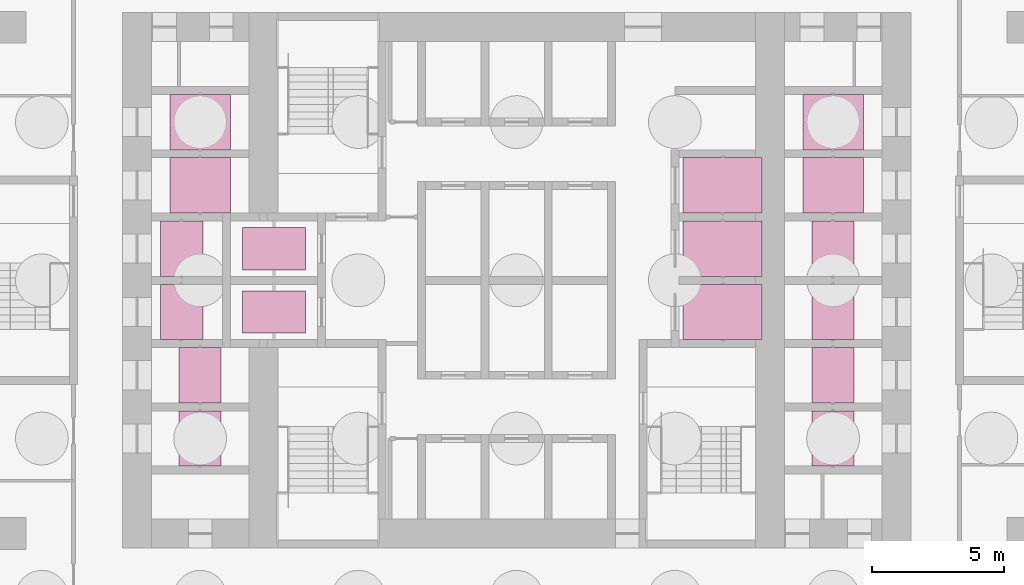
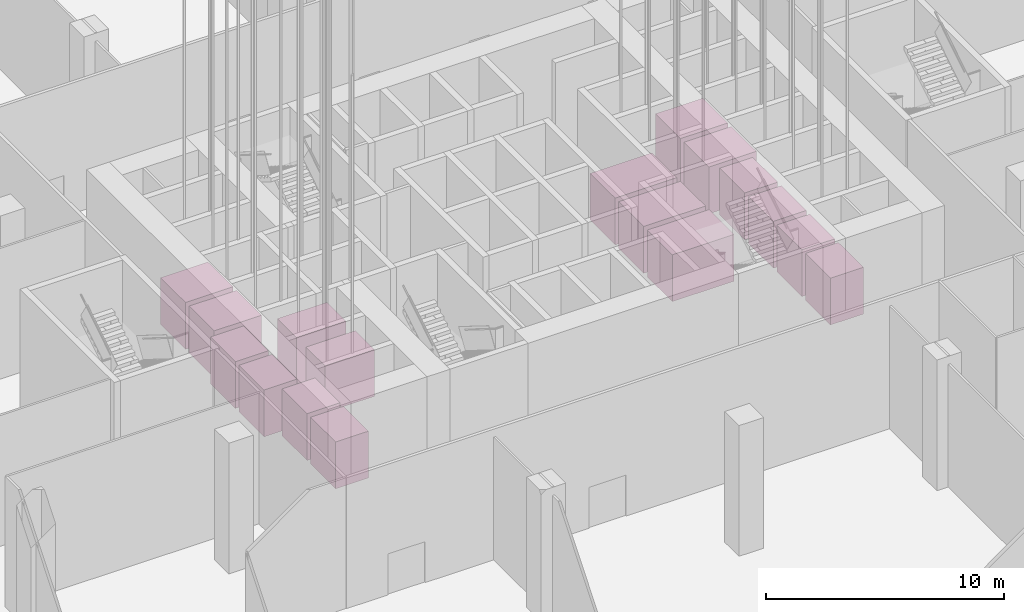
# One storey, part 68 of 68: 17 transport elements.
"""IFC4 building model written with IfcOpenShell, lengths in metres."""

from ifc_helpers import new_model, si_unit, direction, frame, origin, origin_2d, place, context, subcontext, project, spatial, rectangle, extrude, material, type_object, element, save


model = new_model("IFC4")

# Units and contexts
model_context = context("Model", 3, precision=1e-05, world=origin(), true_north=direction((0.0, 1.0)))
body_context = subcontext(model_context, "Body", "Model", "MODEL_VIEW")
ifc_project = project(units=[si_unit("LENGTHUNIT", "METRE"), si_unit("AREAUNIT", "SQUARE_METRE"), si_unit("VOLUMEUNIT", "CUBIC_METRE"), si_unit("PLANEANGLEUNIT", "RADIAN"), si_unit("MASSUNIT", "GRAM", prefix="KILO")], contexts=[model_context])

# Site, building, storey
site_placement = place(None, origin())
site = spatial("IfcSite", under=ifc_project, at=site_placement, CompositionType="ELEMENT")
building_placement = place(site_placement, origin())
building = spatial("IfcBuilding", under=site, at=building_placement, Name="Kolab Exchange Tower", CompositionType="ELEMENT")
storey_placement = place(building_placement, origin())
storey = spatial("IfcBuildingStorey", under=building, at=storey_placement, Name="L00", CompositionType="ELEMENT", Elevation=0.0)

# Transport elements
ifc_material = material(Name="Stainless steel 316", Category="steel")
transport_element_type_1 = type_object("IfcTransportElementType", Name="LIFT FF 2000 KG", PredefinedType="ELEVATOR", material=ifc_material)
for number, where, z_axis, x_axis, name in (
    (1, (-9.199951171875, -1.199951171875, 0.0), (0.0, 0.0, 1.0), (1.0, 0.0, 0.0), "Lift FF1"),
    (2, (-9.199951171875, 1.199951171875, 0.0), (0.0, 0.0, 1.0), (1.0, 0.0, 0.0), "Lift FF2"),
):
    element("IfcTransportElement", number, at=place(storey_placement, frame(where, z_axis=z_axis, x_axis=x_axis)), inside=storey, type_object=transport_element_type_1, Name=name, PredefinedType="ELEVATOR", context=body_context, shape_type="SweptSolid", body=[
        extrude(rectangle(XDim=2.39990234375, YDim=1.60009765625, at=origin_2d()), origin(), (0.0, 0.0, 1.0), 2.39990234375),
    ])
transport_element_type_2 = type_object("IfcTransportElementType", Name="LIFT LR 1800 KG", PredefinedType="ELEVATOR", material=ifc_material)
for number, where, z_axis, x_axis, name in (
    (3, (12.0, -6.0, 0.0), (0.0, 0.0, 1.0), (1.0, 0.0, 0.0), "Lift LR1"),
    (4, (12.0, -3.60009765625, 0.0), (0.0, 0.0, 1.0), (1.0, 0.0, 0.0), "Lift LR2"),
    (5, (12.0, -1.199951171875, 0.0), (0.0, 0.0, 1.0), (1.0, 0.0, 0.0), "Lift LR3"),
    (6, (12.0, 1.199951171875, 0.0), (0.0, 0.0, 1.0), (1.0, 0.0, 0.0), "Lift LR4"),
    (7, (-12.0, -6.0, 0.0), (0.0, 0.0, 1.0), (1.0, 0.0, 0.0), "Lift LR5"),
    (8, (-12.0, -3.60009765625, 0.0), (0.0, 0.0, 1.0), (1.0, 0.0, 0.0), "Lift LR6"),
    (9, (-12.699951171875, -1.199951171875, 0.0), (0.0, 0.0, 1.0), (1.0, 0.0, 0.0), "Lift LR7"),
    (10, (-12.699951171875, 1.199951171875, 0.0), (0.0, 0.0, 1.0), (1.0, 0.0, 0.0), "Lift LR8"),
):
    element("IfcTransportElement", number, at=place(storey_placement, frame(where, z_axis=z_axis, x_axis=x_axis)), inside=storey, type_object=transport_element_type_2, Name=name, PredefinedType="ELEVATOR", context=body_context, shape_type="SweptSolid", body=[
        extrude(rectangle(XDim=1.60009765625, YDim=2.10009765625, at=origin_2d()), origin(), (0.0, 0.0, 1.0), 2.39990234375),
    ])
transport_element_type_3 = type_object("IfcTransportElementType", Name="LIFT SH 2500 KG", PredefinedType="ELEVATOR", material=ifc_material)
for number, where, z_axis, x_axis, name in (
    (11, (12.0, 3.60009765625, 0.0), (0.0, 0.0, 1.0), (1.0, 0.0, 0.0), "Lift SH1"),
    (12, (12.0, 6.0, 0.0), (0.0, 0.0, 1.0), (1.0, 0.0, 0.0), "Lift SH2"),
    (13, (-12.0, 3.60009765625, 0.0), (0.0, 0.0, 1.0), (1.0, 0.0, 0.0), "Lift SH3"),
    (14, (-12.0, 6.0, 0.0), (0.0, 0.0, 1.0), (1.0, 0.0, 0.0), "Lift SH4"),
):
    element("IfcTransportElement", number, at=place(storey_placement, frame(where, z_axis=z_axis, x_axis=x_axis)), inside=storey, type_object=transport_element_type_3, Name=name, PredefinedType="ELEVATOR", context=body_context, shape_type="SweptSolid", body=[
        extrude(rectangle(XDim=2.300048828125, YDim=2.10009765625, at=origin_2d()), origin(), (0.0, 0.0, 1.0), 2.39990234375),
    ])
transport_element_type_4 = type_object("IfcTransportElementType", Name="LIFT SV 4000 KG", PredefinedType="ELEVATOR", material=ifc_material)
for number, where, z_axis, x_axis, name in (
    (15, (7.800048828125, -1.199951171875, 0.0), (0.0, 0.0, 1.0), (1.0, 0.0, 0.0), "Lift SV1"),
    (16, (7.800048828125, 1.199951171875, 0.0), (0.0, 0.0, 1.0), (1.0, 0.0, 0.0), "Lift SV2"),
    (17, (7.800048828125, 3.60009765625, 0.0), (0.0, 0.0, 1.0), (1.0, 0.0, 0.0), "Lift SV3"),
):
    element("IfcTransportElement", number, at=place(storey_placement, frame(where, z_axis=z_axis, x_axis=x_axis)), inside=storey, type_object=transport_element_type_4, Name=name, PredefinedType="ELEVATOR", context=body_context, shape_type="SweptSolid", body=[
        extrude(rectangle(XDim=3.0, YDim=2.10009765625, at=origin_2d()), origin(), (0.0, 0.0, 1.0), 2.39990234375),
    ])

save(model, "model.ifc")
